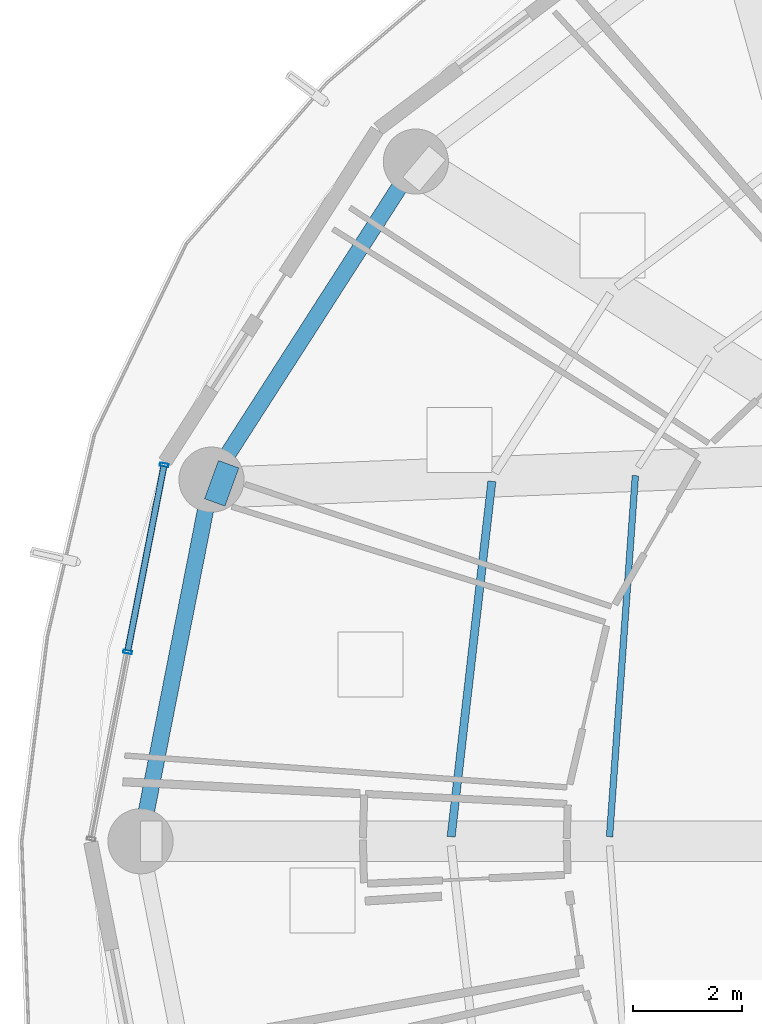
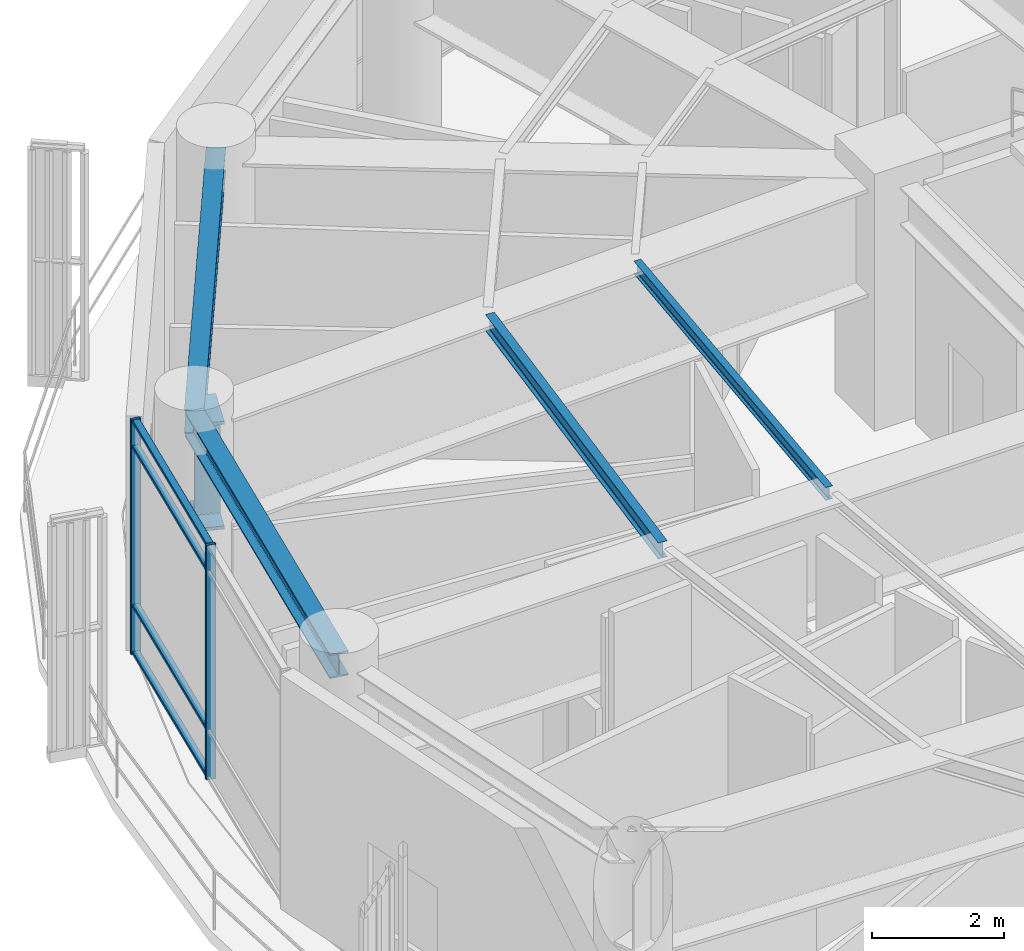
# One storey, part 8 of 28: 6 members, 5 beams, 1 element without a shape of its own.
"""IFC4 building model written with IfcOpenShell, lengths in metres."""

from ifc_helpers import new_model, si_unit, direction, frame, origin, origin_2d, place, context, subcontext, project, spatial, hollow_rectangle, i_section, extrude, material, layer, layer_set, material_profile, profile_set, type_object, element, aggregate, save


model = new_model("IFC4")

# Units and contexts
model_context = context("Model", 3, precision=1e-05, world=origin(), true_north=direction((0.0, 1.0)))
body_context = subcontext(model_context, "Body", "Model", "MODEL_VIEW")
ifc_project = project(units=[si_unit("LENGTHUNIT", "METRE"), si_unit("AREAUNIT", "SQUARE_METRE"), si_unit("VOLUMEUNIT", "CUBIC_METRE"), si_unit("PLANEANGLEUNIT", "RADIAN"), si_unit("MASSUNIT", "GRAM", prefix="KILO")], contexts=[model_context])

# Site, building, storey
site_placement = place(None, origin())
site = spatial("IfcSite", under=ifc_project, at=site_placement, CompositionType="ELEMENT")
building_placement = place(site_placement, origin())
building = spatial("IfcBuilding", under=site, at=building_placement, Name="Kelanora Arch Commons", CompositionType="ELEMENT")
storey_placement = place(building_placement, frame((0.0, 0.0, 184.35009765625)))
storey = spatial("IfcBuildingStorey", under=building, at=storey_placement, Name="L47", CompositionType="ELEMENT", Elevation=184.35009765625)

# Beams
ifc_material_1 = material(Name="Steel S355", Category="steel")
ifc_material_profile_1 = material_profile(ifc_material_1, i_section(OverallWidth=0.14990234375, OverallDepth=0.300048828125, WebThickness=0.007080078125, FlangeThickness=0.0107421875, FilletRadius=0.014892578125, at=origin_2d()), Name="IPE300")
ifc_profile_set_1 = profile_set([ifc_material_profile_1], Name="Steel S355")
beam_type_1 = type_object("IfcBeamType", Name="BM-JST-01", PredefinedType="JOIST", material=ifc_profile_set_1)
beam_1_placement = place(storey_placement, frame((58.792236328125, 64.631103515625, 4.2099609375), z_axis=(-0.113891408177, -0.993493204377, 0.0), x_axis=(0.993493204377, -0.113891408177, 0.0)))
element("IfcBeam", 1, at=beam_1_placement, inside=storey, type_object=beam_type_1, Name="Secondary Chord Joist BJB-16 L47", PredefinedType="JOIST", context=body_context, shape_type="SweptSolid", body=[
    extrude(i_section(OverallWidth=0.14990234375, OverallDepth=0.300048828125, WebThickness=0.007080078125, FlangeThickness=0.0107421875, FilletRadius=0.014892578125, at=origin_2d()), origin(), (0.0, 0.0, 1.0), 6.589599609375),
])
ifc_material_profile_2 = material_profile(ifc_material_1, i_section(OverallWidth=0.1201171875, OverallDepth=0.239990234375, WebThickness=0.006103515625, FlangeThickness=0.009765625, FilletRadius=0.014892578125, at=origin_2d()), Name="IPE240")
ifc_profile_set_2 = profile_set([ifc_material_profile_2], Name="Steel S355")
beam_type_2 = type_object("IfcBeamType", Name="BM-JST-02", PredefinedType="JOIST", material=ifc_profile_set_2)
beam_2_placement = place(storey_placement, frame((61.435302734375, 64.735107421875, 4.239990234375), z_axis=(-0.07133032136, -0.997452748382, 0.0), x_axis=(0.997452748382, -0.07133032136, 0.0)))
element("IfcBeam", 2, at=beam_2_placement, inside=storey, type_object=beam_type_2, Name="Secondary Chord Joist BJA-16 L47", PredefinedType="JOIST", context=body_context, shape_type="SweptSolid", body=[
    extrude(i_section(OverallWidth=0.1201171875, OverallDepth=0.239990234375, WebThickness=0.006103515625, FlangeThickness=0.009765625, FilletRadius=0.014892578125, at=origin_2d()), origin(), (0.0, 0.0, 1.0), 6.66748046875),
])
ifc_material_profile_3 = material_profile(ifc_material_1, i_section(OverallWidth=0.300048828125, OverallDepth=0.449951171875, WebThickness=0.013916015625, FlangeThickness=0.02587890625, FilletRadius=0.027099609375, at=origin_2d()), Name="HEB450")
ifc_profile_set_3 = profile_set([ifc_material_profile_3], Name="Steel S355")
beam_type_3 = type_object("IfcBeamType", Name="BM-SPN-Z3", PredefinedType="SPANDREL", material=ifc_profile_set_3)
beam_3_placement = place(storey_placement, frame((57.39208984375, 70.521484375, 4.135009765625), z_axis=(-0.540576852469, -0.841294637196, 0.0), x_axis=(0.841294637196, -0.540576852469, 0.0)))
element("IfcBeam", 3, at=beam_3_placement, inside=storey, type_object=beam_type_3, Name="Perimeter Spandrel Beam BS-14 L47", PredefinedType="SPANDREL", context=body_context, shape_type="SweptSolid", body=[
    extrude(i_section(OverallWidth=0.300048828125, OverallDepth=0.449951171875, WebThickness=0.013916015625, FlangeThickness=0.02587890625, FilletRadius=0.027099609375, at=origin_2d()), origin(), (0.0, 0.0, 1.0), 6.964111328125),
])
beam_4_placement = place(storey_placement, frame((53.62744140625, 64.66259765625, 4.135009765625), z_axis=(-0.192553643556, -0.981286448675, 0.0), x_axis=(0.981286448675, -0.192553643556, 0.0)))
element("IfcBeam", 4, at=beam_4_placement, inside=storey, type_object=beam_type_3, Name="Perimeter Spandrel Beam BS-16 L47", PredefinedType="SPANDREL", context=body_context, shape_type="SweptSolid", body=[
    extrude(i_section(OverallWidth=0.300048828125, OverallDepth=0.449951171875, WebThickness=0.013916015625, FlangeThickness=0.02587890625, FilletRadius=0.027099609375, at=origin_2d()), origin(), (0.0, 0.0, 1.0), 6.78955078125),
])
ifc_material_profile_4 = material_profile(ifc_material_1, i_section(OverallWidth=0.75, OverallDepth=2.0, WebThickness=0.034912109375, FlangeThickness=0.06005859375, FilletRadius=0.028076171875, at=origin_2d()), Name="PG2000x750")
ifc_profile_set_4 = profile_set([ifc_material_profile_4], Name="Steel S355")
beam_type_4 = type_object("IfcBeamType", Name="BM-XFER-SET", PredefinedType="USERDEFINED", material=ifc_profile_set_4)
beam_5_placement = place(storey_placement, frame((54.00341796875, 64.525634765625, 3.35986328125), z_axis=(-0.939597315436, 0.342281879195, 0.0), x_axis=(-0.342281879195, -0.939597315436, 0.0)))
element("IfcBeam", 5, at=beam_5_placement, inside=storey, type_object=beam_type_4, Name="Radial Floor Girder BR-16 L47", ObjectType="TRANSFER_GIRDER", PredefinedType="USERDEFINED", context=body_context, shape_type="SweptSolid", body=[
    extrude(i_section(OverallWidth=0.75, OverallDepth=2.0, WebThickness=0.034912109375, FlangeThickness=0.06005859375, FilletRadius=0.028076171875, at=origin_2d()), origin(), (0.0, 0.0, 1.0), 0.400146484375),
])

# Curtain wall, members
ifc_material_2 = material(Name="Terracotta ceramic-fritted low-E glass and aluminium", Category="masonry")
ifc_layer = layer(ifc_material_2, 0.175048828125)
ifc_layer_set = layer_set([ifc_layer], Name="Terracotta ceramic-fritted low-E glass and aluminium")
curtain_wall_type = type_object("IfcCurtainWallType", Name="CW-SYS-02", PredefinedType="NOTDEFINED", material=ifc_layer_set)
curtain_wall_placement = place(storey_placement, origin())
curtain_wall = element("IfcCurtainWall", 6, at=curtain_wall_placement, inside=storey, type_object=curtain_wall_type, Name="Unitised Curtain Wall L47-B08", PredefinedType="NOTDEFINED")
ifc_material_3 = material(Name="Powder-coated aluminium terracotta", Category="masonry")
ifc_material_profile_5 = material_profile(ifc_material_3, hollow_rectangle(XDim=0.159912109375, YDim=0.06005859375, WallThickness=0.0048828125, InnerFilletRadius=0.0048828125, OuterFilletRadius=0.010009765625, at=origin_2d()), Name="CWM160x60")
ifc_profile_set_5 = profile_set([ifc_material_profile_5], Name="Powder-coated aluminium terracotta")
member_type_1 = type_object("IfcMemberType", Name="CWM-STD", PredefinedType="MULLION", material=ifc_profile_set_5)
member_1_placement = place(storey_placement, frame((52.754150390625, 64.93310546875, 0.0), z_axis=(0.0, 0.0, 1.0), x_axis=(0.981452557718, -0.191705182375, 0.0)))
member_1 = element("IfcMember", 7, at=member_1_placement, type_object=member_type_1, Name="CW-02 mullion 1", PredefinedType="MULLION", context=body_context, shape_type="SweptSolid", body=[
    extrude(hollow_rectangle(XDim=0.159912109375, YDim=0.06005859375, WallThickness=0.0048828125, InnerFilletRadius=0.0048828125, OuterFilletRadius=0.010009765625, at=origin_2d()), origin(), (0.0, 0.0, 1.0), 4.344970703125),
])
member_2_placement = place(storey_placement, frame((52.08154296875, 61.488525390625, 0.0), z_axis=(0.0, 0.0, 1.0), x_axis=(0.981452557718, -0.191705182375, 0.0)))
member_2 = element("IfcMember", 8, at=member_2_placement, type_object=member_type_1, Name="CW-02 mullion 2", PredefinedType="MULLION", context=body_context, shape_type="SweptSolid", body=[
    extrude(hollow_rectangle(XDim=0.159912109375, YDim=0.06005859375, WallThickness=0.0048828125, InnerFilletRadius=0.0048828125, OuterFilletRadius=0.010009765625, at=origin_2d()), origin(), (0.0, 0.0, 1.0), 4.344970703125),
])
ifc_material_profile_6 = material_profile(ifc_material_3, hollow_rectangle(XDim=0.1201171875, YDim=0.06005859375, WallThickness=0.0048828125, InnerFilletRadius=0.0048828125, OuterFilletRadius=0.010009765625, at=origin_2d()), Name="CWT120x60")
ifc_profile_set_6 = profile_set([ifc_material_profile_6], Name="Powder-coated aluminium terracotta")
member_type_2 = type_object("IfcMemberType", Name="CWT-STD", PredefinedType="USERDEFINED", material=ifc_profile_set_6)
member_3_placement = place(storey_placement, frame((52.74853515625, 64.903564453125, 0.02978515625), z_axis=(-0.191731523726, -0.981447412147, 0.0), x_axis=(0.981447412147, -0.191731523726, 0.0)))
member_3 = element("IfcMember", 9, at=member_3_placement, type_object=member_type_2, Name="CW-02 transom 1.1", ObjectType="TRANSOM", PredefinedType="USERDEFINED", context=body_context, shape_type="SweptSolid", body=[
    extrude(hollow_rectangle(XDim=0.1201171875, YDim=0.06005859375, WallThickness=0.0048828125, InnerFilletRadius=0.0048828125, OuterFilletRadius=0.010009765625, at=origin_2d()), origin(), (0.0, 0.0, 1.0), 3.449462890625),
])
member_4_placement = place(storey_placement, frame((52.74853515625, 64.903564453125, 0.89990234375), z_axis=(-0.191731523726, -0.981447412147, 0.0), x_axis=(0.981447412147, -0.191731523726, 0.0)))
member_4 = element("IfcMember", 10, at=member_4_placement, type_object=member_type_2, Name="CW-02 transom 1.2", ObjectType="TRANSOM", PredefinedType="USERDEFINED", context=body_context, shape_type="SweptSolid", body=[
    extrude(hollow_rectangle(XDim=0.1201171875, YDim=0.06005859375, WallThickness=0.0048828125, InnerFilletRadius=0.0048828125, OuterFilletRadius=0.010009765625, at=origin_2d()), origin(), (0.0, 0.0, 1.0), 3.449462890625),
])
member_5_placement = place(storey_placement, frame((52.74853515625, 64.903564453125, 3.844970703125), z_axis=(-0.191731523726, -0.981447412147, 0.0), x_axis=(0.981447412147, -0.191731523726, 0.0)))
member_5 = element("IfcMember", 11, at=member_5_placement, type_object=member_type_2, Name="CW-02 transom 1.3", ObjectType="TRANSOM", PredefinedType="USERDEFINED", context=body_context, shape_type="SweptSolid", body=[
    extrude(hollow_rectangle(XDim=0.1201171875, YDim=0.06005859375, WallThickness=0.0048828125, InnerFilletRadius=0.0048828125, OuterFilletRadius=0.010009765625, at=origin_2d()), origin(), (0.0, 0.0, 1.0), 3.449462890625),
])
member_6_placement = place(storey_placement, frame((52.74853515625, 64.903564453125, 4.31494140625), z_axis=(-0.191731523726, -0.981447412147, 0.0), x_axis=(0.981447412147, -0.191731523726, 0.0)))
member_6 = element("IfcMember", 12, at=member_6_placement, type_object=member_type_2, Name="CW-02 transom 1.4", ObjectType="TRANSOM", PredefinedType="USERDEFINED", context=body_context, shape_type="SweptSolid", body=[
    extrude(hollow_rectangle(XDim=0.1201171875, YDim=0.06005859375, WallThickness=0.0048828125, InnerFilletRadius=0.0048828125, OuterFilletRadius=0.010009765625, at=origin_2d()), origin(), (0.0, 0.0, 1.0), 3.449462890625),
])
aggregate(curtain_wall, [member_1, member_2, member_3, member_4, member_5, member_6])

save(model, "model.ifc")
